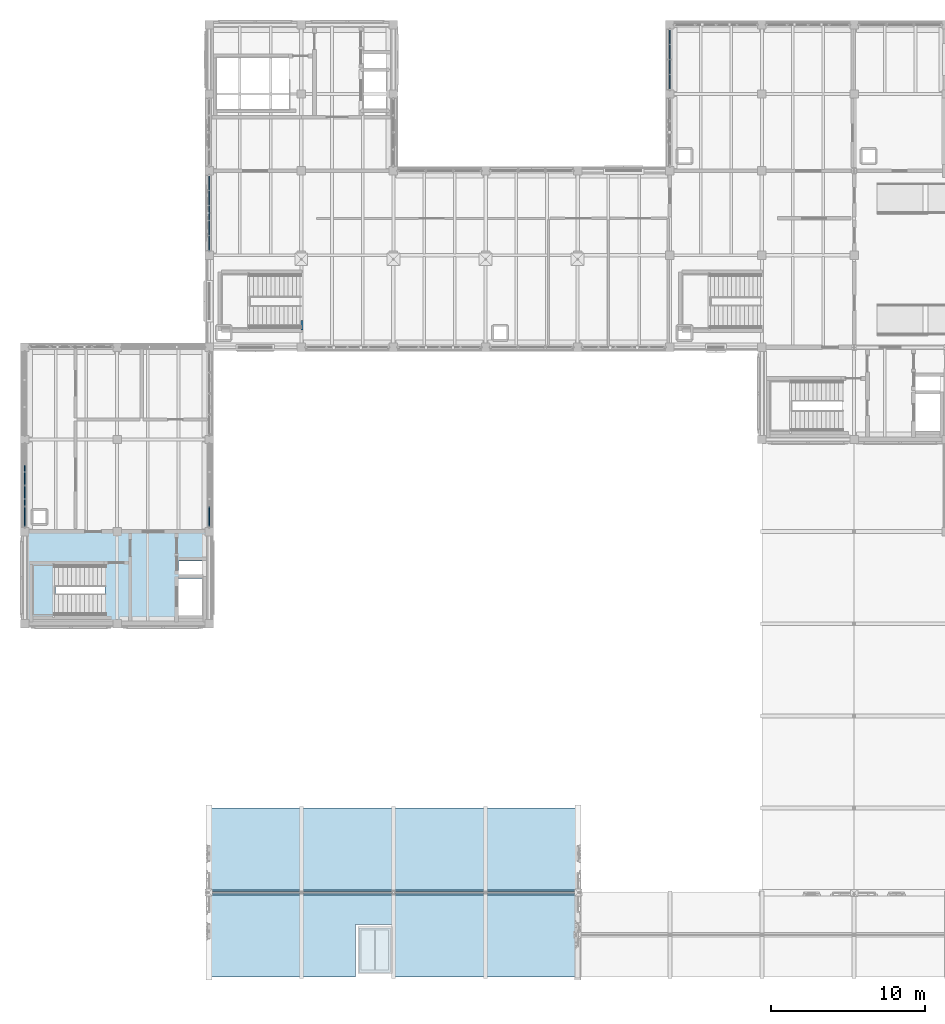
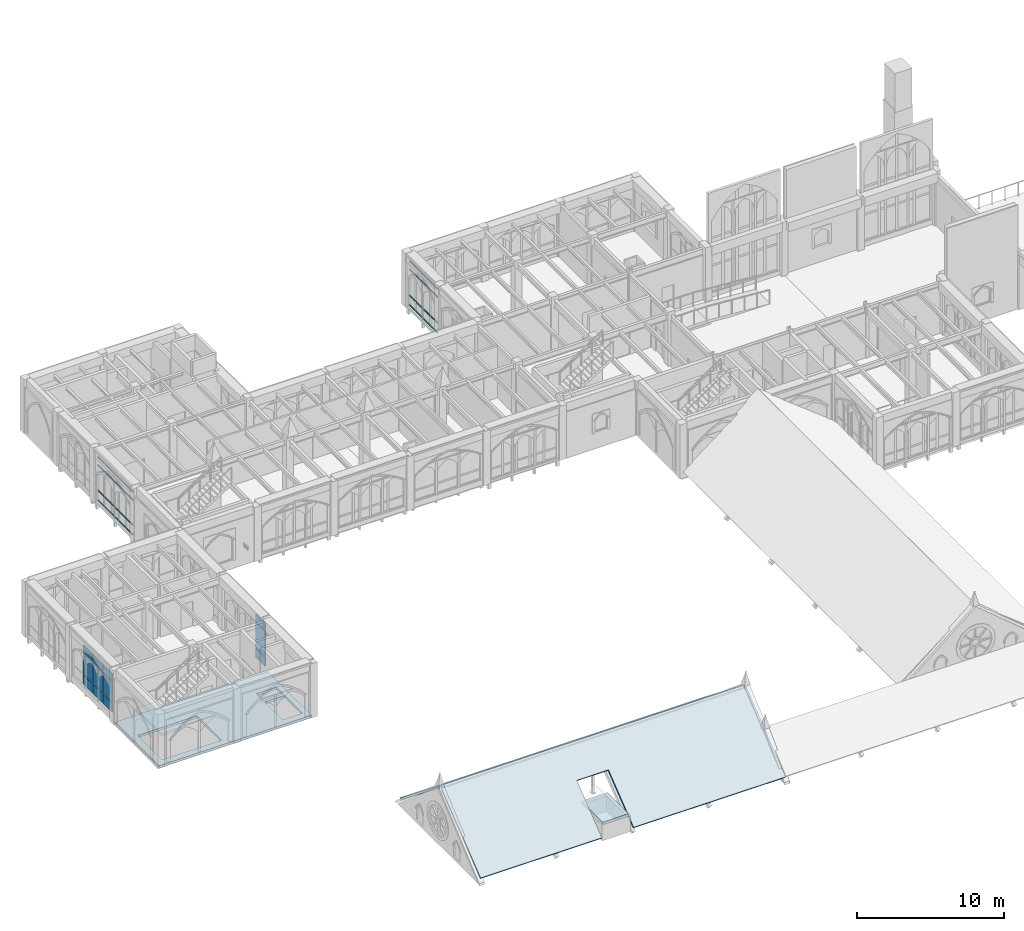
# One storey, part 61 of 108: 36 members, 12 plates, 5 slabs, 1 beam, 5 elements without a shape of their own.
"""IFC4 building model written with IfcOpenShell, lengths in metres."""

from ifc_helpers import new_model, si_unit, direction, frame, origin, origin_2d, place, context, subcontext, project, spatial, polyline, rectangle, hollow_rectangle, i_section, outline, extrude, material, layer, layer_set, material_profile, profile_set, type_object, element, aggregate, save


model = new_model("IFC4")

# Units and contexts
model_context = context("Model", 3, precision=1e-05, world=origin(), true_north=direction((0.0, 1.0)))
body_context = subcontext(model_context, "Body", "Model", "MODEL_VIEW")
ifc_project = project(units=[si_unit("LENGTHUNIT", "METRE"), si_unit("AREAUNIT", "SQUARE_METRE"), si_unit("VOLUMEUNIT", "CUBIC_METRE"), si_unit("PLANEANGLEUNIT", "RADIAN"), si_unit("MASSUNIT", "GRAM", prefix="KILO")], contexts=[model_context])

# Site, building, storey
site_placement = place(None, origin())
site = spatial("IfcSite", under=ifc_project, at=site_placement, CompositionType="ELEMENT")
building_placement = place(site_placement, origin())
building = spatial("IfcBuilding", under=site, at=building_placement, Name="Cumevento Cable Car Station", CompositionType="ELEMENT")
storey_placement = place(building_placement, frame((0.0, 0.0, 13.5)))
storey = spatial("IfcBuildingStorey", under=building, at=storey_placement, Name="L04", CompositionType="ELEMENT", Elevation=13.5)

# Curtain wall, members
ifc_material_1 = material(Name="Anodised Bronze Aluminium AW-6063-T6", Category="aluminium")
ifc_layer_1 = layer(ifc_material_1, 0.166015625)
ifc_layer_set_1 = layer_set([ifc_layer_1], Name="Anodised Bronze Aluminium AW-6063-T6")
curtain_wall_type_1 = type_object("IfcCurtainWallType", Name="Lancet Curtain Wall CW-02 1090", PredefinedType="NOTDEFINED", material=ifc_layer_set_1)
curtain_wall_1_placement = place(storey_placement, origin())
curtain_wall_1 = element("IfcCurtainWall", 1, at=curtain_wall_1_placement, inside=storey, type_object=curtain_wall_type_1, Name="Lancet Curtain Wall CW-02 L04 #161", PredefinedType="NOTDEFINED")
ifc_material_2 = material(Name="Anodised Bronze Aluminium AW-6063-T6", Category="aluminium")
ifc_material_profile_1 = material_profile(ifc_material_2, hollow_rectangle(XDim=0.06494140625, YDim=0.1201171875, WallThickness=0.00390625, at=origin_2d()), Name="ALUT65x120x4")
ifc_profile_set_1 = profile_set([ifc_material_profile_1], Name="Anodised Bronze Aluminium AW-6063-T6")
member_type = type_object("IfcMemberType", Name="Curtain Transom CWT-01 ALUT65x120x4", PredefinedType="USERDEFINED", material=ifc_profile_set_1)
member_1_placement = place(storey_placement, frame((22.0, 51.340087890625, 0.242431640625), z_axis=(0.0, 1.0, 0.0), x_axis=(-1.0, 0.0, 0.0)))
member_1 = element("IfcMember", 2, at=member_1_placement, type_object=member_type, Name="CW-02 transom 1.1", ObjectType="TRANSOM", PredefinedType="USERDEFINED", context=body_context, shape_type="SweptSolid", body=[
    extrude(hollow_rectangle(XDim=0.06494140625, YDim=0.1201171875, WallThickness=0.00390625, at=origin_2d()), origin(), (0.0, 0.0, 1.0), 0.892333984375),
])
member_2_placement = place(storey_placement, frame((22.0, 51.340087890625, 1.06005859375), z_axis=(0.0, 1.0, 0.0), x_axis=(-1.0, 0.0, 0.0)))
member_2 = element("IfcMember", 3, at=member_2_placement, type_object=member_type, Name="CW-02 transom 1.2", ObjectType="TRANSOM", PredefinedType="USERDEFINED", context=body_context, shape_type="SweptSolid", body=[
    extrude(hollow_rectangle(XDim=0.06494140625, YDim=0.1201171875, WallThickness=0.00390625, at=origin_2d()), origin(), (0.0, 0.0, 1.0), 0.892333984375),
])
member_3_placement = place(storey_placement, frame((22.0, 51.340087890625, 3.14306640625), z_axis=(0.0, 1.0, 0.0), x_axis=(-1.0, 0.0, 0.0)))
member_3 = element("IfcMember", 4, at=member_3_placement, type_object=member_type, Name="CW-02 transom 1.3", ObjectType="TRANSOM", PredefinedType="USERDEFINED", context=body_context, shape_type="SweptSolid", body=[
    extrude(hollow_rectangle(XDim=0.06494140625, YDim=0.1201171875, WallThickness=0.00390625, at=origin_2d()), origin(), (0.0, 0.0, 1.0), 0.892333984375),
])
member_4_placement = place(storey_placement, frame((22.0, 51.340087890625, 3.810546875), z_axis=(0.0, 1.0, 0.0), x_axis=(-1.0, 0.0, 0.0)))
member_4 = element("IfcMember", 5, at=member_4_placement, type_object=member_type, Name="CW-02 transom 1.4", ObjectType="TRANSOM", PredefinedType="USERDEFINED", context=body_context, shape_type="SweptSolid", body=[
    extrude(hollow_rectangle(XDim=0.06494140625, YDim=0.1201171875, WallThickness=0.00390625, at=origin_2d()), origin(), (0.0, 0.0, 1.0), 0.892333984375),
])
member_5_placement = place(storey_placement, frame((22.0, 52.297607421875, 0.242431640625), z_axis=(0.0, 1.0, 0.0), x_axis=(-1.0, 0.0, 0.0)))
member_5 = element("IfcMember", 6, at=member_5_placement, type_object=member_type, Name="CW-02 transom 2.1", ObjectType="TRANSOM", PredefinedType="USERDEFINED", context=body_context, shape_type="SweptSolid", body=[
    extrude(hollow_rectangle(XDim=0.06494140625, YDim=0.1201171875, WallThickness=0.00390625, at=origin_2d()), origin(), (0.0, 0.0, 1.0), 0.9248046875),
])
member_6_placement = place(storey_placement, frame((22.0, 52.297607421875, 1.06005859375), z_axis=(0.0, 1.0, 0.0), x_axis=(-1.0, 0.0, 0.0)))
member_6 = element("IfcMember", 7, at=member_6_placement, type_object=member_type, Name="CW-02 transom 2.2", ObjectType="TRANSOM", PredefinedType="USERDEFINED", context=body_context, shape_type="SweptSolid", body=[
    extrude(hollow_rectangle(XDim=0.06494140625, YDim=0.1201171875, WallThickness=0.00390625, at=origin_2d()), origin(), (0.0, 0.0, 1.0), 0.9248046875),
])
member_7_placement = place(storey_placement, frame((22.0, 52.297607421875, 3.14306640625), z_axis=(0.0, 1.0, 0.0), x_axis=(-1.0, 0.0, 0.0)))
member_7 = element("IfcMember", 8, at=member_7_placement, type_object=member_type, Name="CW-02 transom 2.3", ObjectType="TRANSOM", PredefinedType="USERDEFINED", context=body_context, shape_type="SweptSolid", body=[
    extrude(hollow_rectangle(XDim=0.06494140625, YDim=0.1201171875, WallThickness=0.00390625, at=origin_2d()), origin(), (0.0, 0.0, 1.0), 0.9248046875),
])
member_8_placement = place(storey_placement, frame((22.0, 52.297607421875, 3.810546875), z_axis=(0.0, 1.0, 0.0), x_axis=(-1.0, 0.0, 0.0)))
member_8 = element("IfcMember", 9, at=member_8_placement, type_object=member_type, Name="CW-02 transom 2.4", ObjectType="TRANSOM", PredefinedType="USERDEFINED", context=body_context, shape_type="SweptSolid", body=[
    extrude(hollow_rectangle(XDim=0.06494140625, YDim=0.1201171875, WallThickness=0.00390625, at=origin_2d()), origin(), (0.0, 0.0, 1.0), 0.9248046875),
])
member_9_placement = place(storey_placement, frame((22.0, 53.28759765625, 0.242431640625), z_axis=(0.0, 1.0, 0.0), x_axis=(-1.0, 0.0, 0.0)))
member_9 = element("IfcMember", 10, at=member_9_placement, type_object=member_type, Name="CW-02 transom 3.1", ObjectType="TRANSOM", PredefinedType="USERDEFINED", context=body_context, shape_type="SweptSolid", body=[
    extrude(hollow_rectangle(XDim=0.06494140625, YDim=0.1201171875, WallThickness=0.00390625, at=origin_2d()), origin(), (0.0, 0.0, 1.0), 0.9248046875),
])
member_10_placement = place(storey_placement, frame((22.0, 53.28759765625, 1.06005859375), z_axis=(0.0, 1.0, 0.0), x_axis=(-1.0, 0.0, 0.0)))
member_10 = element("IfcMember", 11, at=member_10_placement, type_object=member_type, Name="CW-02 transom 3.2", ObjectType="TRANSOM", PredefinedType="USERDEFINED", context=body_context, shape_type="SweptSolid", body=[
    extrude(hollow_rectangle(XDim=0.06494140625, YDim=0.1201171875, WallThickness=0.00390625, at=origin_2d()), origin(), (0.0, 0.0, 1.0), 0.9248046875),
])
member_11_placement = place(storey_placement, frame((22.0, 53.28759765625, 3.14306640625), z_axis=(0.0, 1.0, 0.0), x_axis=(-1.0, 0.0, 0.0)))
member_11 = element("IfcMember", 12, at=member_11_placement, type_object=member_type, Name="CW-02 transom 3.3", ObjectType="TRANSOM", PredefinedType="USERDEFINED", context=body_context, shape_type="SweptSolid", body=[
    extrude(hollow_rectangle(XDim=0.06494140625, YDim=0.1201171875, WallThickness=0.00390625, at=origin_2d()), origin(), (0.0, 0.0, 1.0), 0.9248046875),
])
member_12_placement = place(storey_placement, frame((22.0, 53.28759765625, 3.810546875), z_axis=(0.0, 1.0, 0.0), x_axis=(-1.0, 0.0, 0.0)))
member_12 = element("IfcMember", 13, at=member_12_placement, type_object=member_type, Name="CW-02 transom 3.4", ObjectType="TRANSOM", PredefinedType="USERDEFINED", context=body_context, shape_type="SweptSolid", body=[
    extrude(hollow_rectangle(XDim=0.06494140625, YDim=0.1201171875, WallThickness=0.00390625, at=origin_2d()), origin(), (0.0, 0.0, 1.0), 0.9248046875),
])
member_13_placement = place(storey_placement, frame((22.0, 54.277587890625, 0.242431640625), z_axis=(0.0, 1.0, 0.0), x_axis=(-1.0, 0.0, 0.0)))
member_13 = element("IfcMember", 14, at=member_13_placement, type_object=member_type, Name="CW-02 transom 4.1", ObjectType="TRANSOM", PredefinedType="USERDEFINED", context=body_context, shape_type="SweptSolid", body=[
    extrude(hollow_rectangle(XDim=0.06494140625, YDim=0.1201171875, WallThickness=0.00390625, at=origin_2d()), origin(), (0.0, 0.0, 1.0), 0.9248046875),
])
member_14_placement = place(storey_placement, frame((22.0, 54.277587890625, 1.06005859375), z_axis=(0.0, 1.0, 0.0), x_axis=(-1.0, 0.0, 0.0)))
member_14 = element("IfcMember", 15, at=member_14_placement, type_object=member_type, Name="CW-02 transom 4.2", ObjectType="TRANSOM", PredefinedType="USERDEFINED", context=body_context, shape_type="SweptSolid", body=[
    extrude(hollow_rectangle(XDim=0.06494140625, YDim=0.1201171875, WallThickness=0.00390625, at=origin_2d()), origin(), (0.0, 0.0, 1.0), 0.9248046875),
])
member_15_placement = place(storey_placement, frame((22.0, 54.277587890625, 3.14306640625), z_axis=(0.0, 1.0, 0.0), x_axis=(-1.0, 0.0, 0.0)))
member_15 = element("IfcMember", 16, at=member_15_placement, type_object=member_type, Name="CW-02 transom 4.3", ObjectType="TRANSOM", PredefinedType="USERDEFINED", context=body_context, shape_type="SweptSolid", body=[
    extrude(hollow_rectangle(XDim=0.06494140625, YDim=0.1201171875, WallThickness=0.00390625, at=origin_2d()), origin(), (0.0, 0.0, 1.0), 0.9248046875),
])
member_16_placement = place(storey_placement, frame((22.0, 54.277587890625, 3.810546875), z_axis=(0.0, 1.0, 0.0), x_axis=(-1.0, 0.0, 0.0)))
member_16 = element("IfcMember", 17, at=member_16_placement, type_object=member_type, Name="CW-02 transom 4.4", ObjectType="TRANSOM", PredefinedType="USERDEFINED", context=body_context, shape_type="SweptSolid", body=[
    extrude(hollow_rectangle(XDim=0.06494140625, YDim=0.1201171875, WallThickness=0.00390625, at=origin_2d()), origin(), (0.0, 0.0, 1.0), 0.9248046875),
])
member_17_placement = place(storey_placement, frame((22.0, 55.267578125, 0.242431640625), z_axis=(0.0, 1.0, 0.0), x_axis=(-1.0, 0.0, 0.0)))
member_17 = element("IfcMember", 18, at=member_17_placement, type_object=member_type, Name="CW-02 transom 5.1", ObjectType="TRANSOM", PredefinedType="USERDEFINED", context=body_context, shape_type="SweptSolid", body=[
    extrude(hollow_rectangle(XDim=0.06494140625, YDim=0.1201171875, WallThickness=0.00390625, at=origin_2d()), origin(), (0.0, 0.0, 1.0), 0.892333984375),
])
member_18_placement = place(storey_placement, frame((22.0, 55.267578125, 1.06005859375), z_axis=(0.0, 1.0, 0.0), x_axis=(-1.0, 0.0, 0.0)))
member_18 = element("IfcMember", 19, at=member_18_placement, type_object=member_type, Name="CW-02 transom 5.2", ObjectType="TRANSOM", PredefinedType="USERDEFINED", context=body_context, shape_type="SweptSolid", body=[
    extrude(hollow_rectangle(XDim=0.06494140625, YDim=0.1201171875, WallThickness=0.00390625, at=origin_2d()), origin(), (0.0, 0.0, 1.0), 0.892333984375),
])
member_19_placement = place(storey_placement, frame((22.0, 55.267578125, 3.14306640625), z_axis=(0.0, 1.0, 0.0), x_axis=(-1.0, 0.0, 0.0)))
member_19 = element("IfcMember", 20, at=member_19_placement, type_object=member_type, Name="CW-02 transom 5.3", ObjectType="TRANSOM", PredefinedType="USERDEFINED", context=body_context, shape_type="SweptSolid", body=[
    extrude(hollow_rectangle(XDim=0.06494140625, YDim=0.1201171875, WallThickness=0.00390625, at=origin_2d()), origin(), (0.0, 0.0, 1.0), 0.892333984375),
])
member_20_placement = place(storey_placement, frame((22.0, 55.267578125, 3.810546875), z_axis=(0.0, 1.0, 0.0), x_axis=(-1.0, 0.0, 0.0)))
member_20 = element("IfcMember", 21, at=member_20_placement, type_object=member_type, Name="CW-02 transom 5.4", ObjectType="TRANSOM", PredefinedType="USERDEFINED", context=body_context, shape_type="SweptSolid", body=[
    extrude(hollow_rectangle(XDim=0.06494140625, YDim=0.1201171875, WallThickness=0.00390625, at=origin_2d()), origin(), (0.0, 0.0, 1.0), 0.892333984375),
])
aggregate(curtain_wall_1, [member_1, member_2, member_3, member_4, member_5, member_6, member_7, member_8, member_9, member_10, member_11, member_12, member_13, member_14, member_15, member_16, member_17, member_18, member_19, member_20])

ifc_material_3 = material(Name="Anodised Bronze Aluminium AW-6063-T6", Category="aluminium")
ifc_layer_2 = layer(ifc_material_3, 0.159912109375)
ifc_layer_set_2 = layer_set([ifc_layer_2], Name="Anodised Bronze Aluminium AW-6063-T6")
curtain_wall_type_2 = type_object("IfcCurtainWallType", Name="Lancet Curtain Wall CW-01 1050", PredefinedType="NOTDEFINED", material=ifc_layer_set_2)
curtain_wall_2_placement = place(storey_placement, origin())
curtain_wall_2 = element("IfcCurtainWall", 22, at=curtain_wall_2_placement, inside=storey, type_object=curtain_wall_type_2, Name="Lancet Curtain Wall CW-01 L04 #176", PredefinedType="NOTDEFINED")
member_21_placement = place(storey_placement, frame((52.0, 61.840087890625, 0.1923828125), z_axis=(0.0, 1.0, 0.0), x_axis=(-1.0, 0.0, 0.0)))
member_21 = element("IfcMember", 23, at=member_21_placement, type_object=member_type, Name="CW-01 transom 1.1", ObjectType="TRANSOM", PredefinedType="USERDEFINED", context=body_context, shape_type="SweptSolid", body=[
    extrude(hollow_rectangle(XDim=0.06494140625, YDim=0.1201171875, WallThickness=0.00390625, at=origin_2d()), origin(), (0.0, 0.0, 1.0), 0.889892578125),
])
member_22_placement = place(storey_placement, frame((52.0, 61.840087890625, 1.010009765625), z_axis=(0.0, 1.0, 0.0), x_axis=(-1.0, 0.0, 0.0)))
member_22 = element("IfcMember", 24, at=member_22_placement, type_object=member_type, Name="CW-01 transom 1.2", ObjectType="TRANSOM", PredefinedType="USERDEFINED", context=body_context, shape_type="SweptSolid", body=[
    extrude(hollow_rectangle(XDim=0.06494140625, YDim=0.1201171875, WallThickness=0.00390625, at=origin_2d()), origin(), (0.0, 0.0, 1.0), 0.889892578125),
])
member_23_placement = place(storey_placement, frame((52.0, 61.840087890625, 3.14306640625), z_axis=(0.0, 1.0, 0.0), x_axis=(-1.0, 0.0, 0.0)))
member_23 = element("IfcMember", 25, at=member_23_placement, type_object=member_type, Name="CW-01 transom 1.3", ObjectType="TRANSOM", PredefinedType="USERDEFINED", context=body_context, shape_type="SweptSolid", body=[
    extrude(hollow_rectangle(XDim=0.06494140625, YDim=0.1201171875, WallThickness=0.00390625, at=origin_2d()), origin(), (0.0, 0.0, 1.0), 0.889892578125),
])
member_24_placement = place(storey_placement, frame((52.0, 61.840087890625, 3.810546875), z_axis=(0.0, 1.0, 0.0), x_axis=(-1.0, 0.0, 0.0)))
member_24 = element("IfcMember", 26, at=member_24_placement, type_object=member_type, Name="CW-01 transom 1.4", ObjectType="TRANSOM", PredefinedType="USERDEFINED", context=body_context, shape_type="SweptSolid", body=[
    extrude(hollow_rectangle(XDim=0.06494140625, YDim=0.1201171875, WallThickness=0.00390625, at=origin_2d()), origin(), (0.0, 0.0, 1.0), 0.889892578125),
])
member_25_placement = place(storey_placement, frame((52.0, 62.794921875, 0.1923828125), z_axis=(0.0, 1.0, 0.0), x_axis=(-1.0, 0.0, 0.0)))
member_25 = element("IfcMember", 27, at=member_25_placement, type_object=member_type, Name="CW-01 transom 2.1", ObjectType="TRANSOM", PredefinedType="USERDEFINED", context=body_context, shape_type="SweptSolid", body=[
    extrude(hollow_rectangle(XDim=0.06494140625, YDim=0.1201171875, WallThickness=0.00390625, at=origin_2d()), origin(), (0.0, 0.0, 1.0), 0.922607421875),
])
member_26_placement = place(storey_placement, frame((52.0, 62.794921875, 1.010009765625), z_axis=(0.0, 1.0, 0.0), x_axis=(-1.0, 0.0, 0.0)))
member_26 = element("IfcMember", 28, at=member_26_placement, type_object=member_type, Name="CW-01 transom 2.2", ObjectType="TRANSOM", PredefinedType="USERDEFINED", context=body_context, shape_type="SweptSolid", body=[
    extrude(hollow_rectangle(XDim=0.06494140625, YDim=0.1201171875, WallThickness=0.00390625, at=origin_2d()), origin(), (0.0, 0.0, 1.0), 0.922607421875),
])
member_27_placement = place(storey_placement, frame((52.0, 62.794921875, 3.14306640625), z_axis=(0.0, 1.0, 0.0), x_axis=(-1.0, 0.0, 0.0)))
member_27 = element("IfcMember", 29, at=member_27_placement, type_object=member_type, Name="CW-01 transom 2.3", ObjectType="TRANSOM", PredefinedType="USERDEFINED", context=body_context, shape_type="SweptSolid", body=[
    extrude(hollow_rectangle(XDim=0.06494140625, YDim=0.1201171875, WallThickness=0.00390625, at=origin_2d()), origin(), (0.0, 0.0, 1.0), 0.922607421875),
])
member_28_placement = place(storey_placement, frame((52.0, 62.794921875, 3.810546875), z_axis=(0.0, 1.0, 0.0), x_axis=(-1.0, 0.0, 0.0)))
member_28 = element("IfcMember", 30, at=member_28_placement, type_object=member_type, Name="CW-01 transom 2.4", ObjectType="TRANSOM", PredefinedType="USERDEFINED", context=body_context, shape_type="SweptSolid", body=[
    extrude(hollow_rectangle(XDim=0.06494140625, YDim=0.1201171875, WallThickness=0.00390625, at=origin_2d()), origin(), (0.0, 0.0, 1.0), 0.922607421875),
])
member_29_placement = place(storey_placement, frame((52.0, 63.782470703125, 0.1923828125), z_axis=(0.0, 1.0, 0.0), x_axis=(-1.0, 0.0, 0.0)))
member_29 = element("IfcMember", 31, at=member_29_placement, type_object=member_type, Name="CW-01 transom 3.1", ObjectType="TRANSOM", PredefinedType="USERDEFINED", context=body_context, shape_type="SweptSolid", body=[
    extrude(hollow_rectangle(XDim=0.06494140625, YDim=0.1201171875, WallThickness=0.00390625, at=origin_2d()), origin(), (0.0, 0.0, 1.0), 0.922607421875),
])
member_30_placement = place(storey_placement, frame((52.0, 63.782470703125, 1.010009765625), z_axis=(0.0, 1.0, 0.0), x_axis=(-1.0, 0.0, 0.0)))
member_30 = element("IfcMember", 32, at=member_30_placement, type_object=member_type, Name="CW-01 transom 3.2", ObjectType="TRANSOM", PredefinedType="USERDEFINED", context=body_context, shape_type="SweptSolid", body=[
    extrude(hollow_rectangle(XDim=0.06494140625, YDim=0.1201171875, WallThickness=0.00390625, at=origin_2d()), origin(), (0.0, 0.0, 1.0), 0.922607421875),
])
member_31_placement = place(storey_placement, frame((52.0, 63.782470703125, 3.14306640625), z_axis=(0.0, 1.0, 0.0), x_axis=(-1.0, 0.0, 0.0)))
member_31 = element("IfcMember", 33, at=member_31_placement, type_object=member_type, Name="CW-01 transom 3.3", ObjectType="TRANSOM", PredefinedType="USERDEFINED", context=body_context, shape_type="SweptSolid", body=[
    extrude(hollow_rectangle(XDim=0.06494140625, YDim=0.1201171875, WallThickness=0.00390625, at=origin_2d()), origin(), (0.0, 0.0, 1.0), 0.922607421875),
])
member_32_placement = place(storey_placement, frame((52.0, 63.782470703125, 3.810546875), z_axis=(0.0, 1.0, 0.0), x_axis=(-1.0, 0.0, 0.0)))
member_32 = element("IfcMember", 34, at=member_32_placement, type_object=member_type, Name="CW-01 transom 3.4", ObjectType="TRANSOM", PredefinedType="USERDEFINED", context=body_context, shape_type="SweptSolid", body=[
    extrude(hollow_rectangle(XDim=0.06494140625, YDim=0.1201171875, WallThickness=0.00390625, at=origin_2d()), origin(), (0.0, 0.0, 1.0), 0.922607421875),
])
member_33_placement = place(storey_placement, frame((52.0, 64.77001953125, 0.1923828125), z_axis=(0.0, 1.0, 0.0), x_axis=(-1.0, 0.0, 0.0)))
member_33 = element("IfcMember", 35, at=member_33_placement, type_object=member_type, Name="CW-01 transom 4.1", ObjectType="TRANSOM", PredefinedType="USERDEFINED", context=body_context, shape_type="SweptSolid", body=[
    extrude(hollow_rectangle(XDim=0.06494140625, YDim=0.1201171875, WallThickness=0.00390625, at=origin_2d()), origin(), (0.0, 0.0, 1.0), 0.889892578125),
])
member_34_placement = place(storey_placement, frame((52.0, 64.77001953125, 1.010009765625), z_axis=(0.0, 1.0, 0.0), x_axis=(-1.0, 0.0, 0.0)))
member_34 = element("IfcMember", 36, at=member_34_placement, type_object=member_type, Name="CW-01 transom 4.2", ObjectType="TRANSOM", PredefinedType="USERDEFINED", context=body_context, shape_type="SweptSolid", body=[
    extrude(hollow_rectangle(XDim=0.06494140625, YDim=0.1201171875, WallThickness=0.00390625, at=origin_2d()), origin(), (0.0, 0.0, 1.0), 0.889892578125),
])
member_35_placement = place(storey_placement, frame((52.0, 64.77001953125, 3.14306640625), z_axis=(0.0, 1.0, 0.0), x_axis=(-1.0, 0.0, 0.0)))
member_35 = element("IfcMember", 37, at=member_35_placement, type_object=member_type, Name="CW-01 transom 4.3", ObjectType="TRANSOM", PredefinedType="USERDEFINED", context=body_context, shape_type="SweptSolid", body=[
    extrude(hollow_rectangle(XDim=0.06494140625, YDim=0.1201171875, WallThickness=0.00390625, at=origin_2d()), origin(), (0.0, 0.0, 1.0), 0.889892578125),
])
member_36_placement = place(storey_placement, frame((52.0, 64.77001953125, 3.810546875), z_axis=(0.0, 1.0, 0.0), x_axis=(-1.0, 0.0, 0.0)))
member_36 = element("IfcMember", 38, at=member_36_placement, type_object=member_type, Name="CW-01 transom 4.4", ObjectType="TRANSOM", PredefinedType="USERDEFINED", context=body_context, shape_type="SweptSolid", body=[
    extrude(hollow_rectangle(XDim=0.06494140625, YDim=0.1201171875, WallThickness=0.00390625, at=origin_2d()), origin(), (0.0, 0.0, 1.0), 0.889892578125),
])
aggregate(curtain_wall_2, [member_21, member_22, member_23, member_24, member_25, member_26, member_27, member_28, member_29, member_30, member_31, member_32, member_33, member_34, member_35, member_36])

# Beam
ifc_material_4 = material(Name="Steel ASTM A572 Grade 50", Category="steel")
ifc_material_profile_2 = material_profile(ifc_material_4, i_section(OverallWidth=0.14794921875, OverallDepth=0.26611328125, WebThickness=0.007568359375, FlangeThickness=0.012939453125, at=origin_2d()), Name="W250x44.8")
ifc_profile_set_2 = profile_set([ifc_material_profile_2], Name="Steel ASTM A572 Grade 50")
beam_type = type_object("IfcBeamType", Name="Structural Beam BM-07 W250x44.8", PredefinedType="BEAM", material=ifc_profile_set_2)
beam_placement = place(storey_placement, frame((28.0400390625, 46.1201171875, 0.137939453125), z_axis=(0.0, 1.0, 0.0), x_axis=(-1.0, 0.0, 0.0)))
element("IfcBeam", 39, at=beam_placement, inside=storey, type_object=beam_type, Name="Stair Stringer Seat Corbel ST-12", PredefinedType="BEAM", context=body_context, shape_type="SweptSolid", body=[
    extrude(i_section(OverallWidth=0.14794921875, OverallDepth=0.26611328125, WebThickness=0.007568359375, FlangeThickness=0.012939453125, at=origin_2d()), origin(), (0.0, 0.0, 1.0), 0.6298828125),
])

# Slabs
ifc_material_5 = material(Name="Concrete C40/50", Category="concrete")
ifc_layer_3 = layer(ifc_material_5, 0.199951171875)
ifc_layer_set_3 = layer_set([ifc_layer_3], Name="Concrete C40/50")
slab_type_1 = type_object("IfcSlabType", Name="Concrete Deck FS-200 200", PredefinedType="FLOOR", material=ifc_layer_set_3)
slab_1_placement = place(storey_placement, frame((0.0, 0.0, -0.199951171875)))
element("IfcSlab", 40, at=slab_1_placement, inside=storey, type_object=slab_type_1, Name="Floor Slab FS-200 L04 B_V6b_core.1", PredefinedType="FLOOR", context=body_context, shape_type="SweptSolid", body=[
    extrude(outline(polyline([(10.0, 27.0), (22.0, 27.0), (22.0, 33.0), (10.0, 33.0), (10.0, 27.0)]), holes=[polyline([(20.010009765625, 27.5400390625), (21.580078125, 27.5400390625), (21.580078125, 29.9599609375), (20.010009765625, 29.9599609375), (20.010009765625, 27.5400390625)]), polyline([(10.52001953125, 27.52001953125), (15.199951171875, 27.52001953125), (15.199951171875, 30.85009765625), (10.52001953125, 30.85009765625), (10.52001953125, 27.52001953125)]), polyline([(20.010009765625, 30.199951171875), (21.580078125, 30.199951171875), (21.580078125, 31.10009765625), (20.010009765625, 31.10009765625), (20.010009765625, 30.199951171875)])]), origin(), (0.0, 0.0, 1.0), 0.199951171875),
])
ifc_material_6 = material(Name="Concrete C40/50", Category="concrete")
ifc_layer_4 = layer(ifc_material_6, 0.159912109375)
ifc_layer_set_4 = layer_set([ifc_layer_4], Name="Concrete C40/50")
slab_type_2 = type_object("IfcSlabType", Name="Concrete Deck RS-160 160", PredefinedType="ROOF", material=ifc_layer_set_4)
slab_2_placement = place(storey_placement, frame((22.0, 9.344970703125, 4.63037109375), z_axis=(0.0, -0.620350096086, 0.784325033571), x_axis=(1.0, 0.0, 0.0)))
element("IfcSlab", 41, at=slab_2_placement, inside=storey, type_object=slab_type_2, Name="Wing B_V1a Gable Roof South", PredefinedType="ROOF", context=body_context, shape_type="SweptSolid", body=[
    extrude(outline(polyline([(0.0, 0.0), (24.0, 0.0), (24.0, -6.814748589793517), (12.0400390625, -6.814748589793517), (12.0400390625, -2.4543227756101884), (9.5400390625, -2.4543227756101884), (9.5400390625, -6.814748589793517), (0.0, -6.814748589793517), (0.0, 0.0)])), origin(), (0.0, 0.0, -1.0), 0.159912109375),
])
slab_3_placement = place(storey_placement, frame((22.0, 9.655029296875, 4.63037109375), z_axis=(0.0, 0.620351434362, 0.78432397508), x_axis=(1.0, 0.0, 0.0)))
element("IfcSlab", 42, at=slab_3_placement, inside=storey, type_object=slab_type_2, Name="Wing B_V1a Gable Roof North", PredefinedType="ROOF", context=body_context, shape_type="SweptSolid", body=[
    extrude(outline(polyline([(0.0, 0.0), (24.0, 0.0), (24.0, 6.814748589803437), (0.0, 6.814748589803437), (0.0, 0.0)])), origin(), (0.0, 0.0, -1.0), 0.159912109375),
])
ifc_material_7 = material(Name="Concrete C40/50", Category="concrete")
ifc_layer_5 = layer(ifc_material_7, 0.199951171875)
ifc_layer_set_5 = layer_set([ifc_layer_5], Name="Concrete C40/50")
slab_type_3 = type_object("IfcSlabType", Name="Concrete Deck RS-200 200", PredefinedType="ROOF", material=ifc_layer_set_5)
slab_4_placement = place(storey_placement, frame((0.0, 0.0, 1.25)))
element("IfcSlab", 43, at=slab_4_placement, inside=storey, type_object=slab_type_3, Name="Lift Overrun Roof Slab LF-02", PredefinedType="ROOF", context=body_context, shape_type="SweptSolid", body=[
    extrude(outline(polyline([(31.760009765625, 4.300048828125), (33.820068359375, 4.300048828125), (33.820068359375, 7.199951171875), (31.760009765625, 7.199951171875), (31.760009765625, 4.300048828125)])), origin(), (0.0, 0.0, 1.0), 0.199951171875),
])

# Curtain wall, plates
ifc_material_8 = material(Name="Anodised Bronze Aluminium AW-6063-T6", Category="aluminium")
ifc_layer_6 = layer(ifc_material_8, 0.201904296875)
ifc_layer_set_6 = layer_set([ifc_layer_6], Name="Anodised Bronze Aluminium AW-6063-T6")
curtain_wall_type_3 = type_object("IfcCurtainWallType", Name="Lancet Curtain Wall CW-08 1330", PredefinedType="NOTDEFINED", material=ifc_layer_set_6)
curtain_wall_3_placement = place(storey_placement, origin())
curtain_wall_3 = element("IfcCurtainWall", 44, at=curtain_wall_3_placement, inside=storey, type_object=curtain_wall_type_3, Name="Lancet Curtain Wall CW-08 L04 #151", PredefinedType="NOTDEFINED")
ifc_material_9 = material(Name="Insulated Bronze Aluminium Spandrel Panel", Category="aluminium")
ifc_layer_7 = layer(ifc_material_9, 0.072021484375)
ifc_layer_set_7 = layer_set([ifc_layer_7], Name="Insulated Bronze Aluminium Spandrel Panel")
plate_type_1 = type_object("IfcPlateType", Name="Spandrel Panel CWP-12 72", PredefinedType="CURTAIN_PANEL", material=ifc_layer_set_7)
plate_1_placement = place(storey_placement, frame((10.0, 33.972412109375, 0.5849609375), z_axis=(0.0, 0.0, 1.0), x_axis=(0.0, 1.0, 0.0)))
plate_1 = element("IfcPlate", 45, at=plate_1_placement, type_object=plate_type_1, Name="CW-08 panel 1.1", PredefinedType="CURTAIN_PANEL", context=body_context, shape_type="SweptSolid", body=[
    extrude(rectangle(XDim=1.264892578125, YDim=0.072021484375, at=origin_2d()), origin(), (0.0, 0.0, 1.0), 0.75244140625),
])
plate_2_placement = place(storey_placement, frame((10.0, 33.972412109375, 1.40234375), z_axis=(0.0, 0.0, 1.0), x_axis=(0.0, 1.0, 0.0)))
plate_2 = element("IfcPlate", 46, at=plate_2_placement, type_object=plate_type_1, Name="CW-08 panel 1.2", PredefinedType="CURTAIN_PANEL", context=body_context, shape_type="SweptSolid", body=[
    extrude(rectangle(XDim=1.264892578125, YDim=0.072021484375, at=origin_2d()), origin(), (0.0, 0.0, 1.0), 1.74609375),
])
plate_3_placement = place(storey_placement, frame((10.0, 33.972412109375, 3.21337890625), z_axis=(0.0, 0.0, 1.0), x_axis=(0.0, 1.0, 0.0)))
plate_3 = element("IfcPlate", 47, at=plate_3_placement, type_object=plate_type_1, Name="CW-08 panel 1.3", PredefinedType="CURTAIN_PANEL", context=body_context, shape_type="SweptSolid", body=[
    extrude(rectangle(XDim=1.264892578125, YDim=0.072021484375, at=origin_2d()), origin(), (0.0, 0.0, 1.0), 0.6025390625),
])
plate_4_placement = place(storey_placement, frame((10.0, 35.31884765625, 0.5849609375), z_axis=(0.0, 0.0, 1.0), x_axis=(0.0, 1.0, 0.0)))
plate_4 = element("IfcPlate", 48, at=plate_4_placement, type_object=plate_type_1, Name="CW-08 panel 2.1", PredefinedType="CURTAIN_PANEL", context=body_context, shape_type="SweptSolid", body=[
    extrude(rectangle(XDim=1.297607421875, YDim=0.072021484375, at=origin_2d()), origin(), (0.0, 0.0, 1.0), 0.75244140625),
])
plate_5_placement = place(storey_placement, frame((10.0, 35.31884765625, 1.40234375), z_axis=(0.0, 0.0, 1.0), x_axis=(0.0, 1.0, 0.0)))
plate_5 = element("IfcPlate", 49, at=plate_5_placement, type_object=plate_type_1, Name="CW-08 panel 2.2", PredefinedType="CURTAIN_PANEL", context=body_context, shape_type="SweptSolid", body=[
    extrude(rectangle(XDim=1.297607421875, YDim=0.072021484375, at=origin_2d()), origin(), (0.0, 0.0, 1.0), 1.74609375),
])
plate_6_placement = place(storey_placement, frame((10.0, 35.31884765625, 3.21337890625), z_axis=(0.0, 0.0, 1.0), x_axis=(0.0, 1.0, 0.0)))
plate_6 = element("IfcPlate", 50, at=plate_6_placement, type_object=plate_type_1, Name="CW-08 panel 2.3", PredefinedType="CURTAIN_PANEL", context=body_context, shape_type="SweptSolid", body=[
    extrude(rectangle(XDim=1.297607421875, YDim=0.072021484375, at=origin_2d()), origin(), (0.0, 0.0, 1.0), 0.6025390625),
])
plate_7_placement = place(storey_placement, frame((10.0, 36.68115234375, 0.5849609375), z_axis=(0.0, 0.0, 1.0), x_axis=(0.0, 1.0, 0.0)))
plate_7 = element("IfcPlate", 51, at=plate_7_placement, type_object=plate_type_1, Name="CW-08 panel 3.1", PredefinedType="CURTAIN_PANEL", context=body_context, shape_type="SweptSolid", body=[
    extrude(rectangle(XDim=1.297607421875, YDim=0.072021484375, at=origin_2d()), origin(), (0.0, 0.0, 1.0), 0.75244140625),
])
plate_8_placement = place(storey_placement, frame((10.0, 36.68115234375, 1.40234375), z_axis=(0.0, 0.0, 1.0), x_axis=(0.0, 1.0, 0.0)))
plate_8 = element("IfcPlate", 52, at=plate_8_placement, type_object=plate_type_1, Name="CW-08 panel 3.2", PredefinedType="CURTAIN_PANEL", context=body_context, shape_type="SweptSolid", body=[
    extrude(rectangle(XDim=1.297607421875, YDim=0.072021484375, at=origin_2d()), origin(), (0.0, 0.0, 1.0), 1.74609375),
])
plate_9_placement = place(storey_placement, frame((10.0, 36.68115234375, 3.21337890625), z_axis=(0.0, 0.0, 1.0), x_axis=(0.0, 1.0, 0.0)))
plate_9 = element("IfcPlate", 53, at=plate_9_placement, type_object=plate_type_1, Name="CW-08 panel 3.3", PredefinedType="CURTAIN_PANEL", context=body_context, shape_type="SweptSolid", body=[
    extrude(rectangle(XDim=1.297607421875, YDim=0.072021484375, at=origin_2d()), origin(), (0.0, 0.0, 1.0), 0.6025390625),
])
aggregate(curtain_wall_3, [plate_1, plate_2, plate_3, plate_4, plate_5, plate_6, plate_7, plate_8, plate_9])

ifc_material_10 = material(Name="Anodised Bronze Aluminium AW-6063-T6", Category="aluminium")
ifc_layer_8 = layer(ifc_material_10, 0.2080078125)
ifc_layer_set_8 = layer_set([ifc_layer_8], Name="Anodised Bronze Aluminium AW-6063-T6")
curtain_wall_type_4 = type_object("IfcCurtainWallType", Name="Lancet Curtain Wall CW-09 1370", PredefinedType="NOTDEFINED", material=ifc_layer_set_8)
curtain_wall_4_placement = place(storey_placement, origin())
curtain_wall_4 = element("IfcCurtainWall", 54, at=curtain_wall_4_placement, inside=storey, type_object=curtain_wall_type_4, Name="Lancet Curtain Wall CW-09 L04 #152", PredefinedType="NOTDEFINED")
ifc_material_11 = material(Name="Insulated Bronze Aluminium Spandrel Panel", Category="aluminium")
ifc_layer_9 = layer(ifc_material_11, 0.077880859375)
ifc_layer_set_9 = layer_set([ifc_layer_9], Name="Insulated Bronze Aluminium Spandrel Panel")
plate_type_2 = type_object("IfcPlateType", Name="Spandrel Panel CWP-13 78", PredefinedType="CURTAIN_PANEL", material=ifc_layer_set_9)
plate_10_placement = place(storey_placement, frame((22.0, 33.972412109375, 0.22509765625), z_axis=(0.0, 0.0, 1.0), x_axis=(0.0, -1.0, 0.0)))
plate_10 = element("IfcPlate", 55, at=plate_10_placement, type_object=plate_type_2, Name="CW-09 panel 4.1", PredefinedType="CURTAIN_PANEL", context=body_context, shape_type="SweptSolid", body=[
    extrude(rectangle(XDim=1.264892578125, YDim=0.077880859375, at=origin_2d()), origin(), (0.0, 0.0, 1.0), 0.75244140625),
])
plate_11_placement = place(storey_placement, frame((22.0, 33.972412109375, 1.04248046875), z_axis=(0.0, 0.0, 1.0), x_axis=(0.0, -1.0, 0.0)))
plate_11 = element("IfcPlate", 56, at=plate_11_placement, type_object=plate_type_2, Name="CW-09 panel 4.2", PredefinedType="CURTAIN_PANEL", context=body_context, shape_type="SweptSolid", body=[
    extrude(rectangle(XDim=1.264892578125, YDim=0.077880859375, at=origin_2d()), origin(), (0.0, 0.0, 1.0), 2.10595703125),
])
plate_12_placement = place(storey_placement, frame((22.0, 33.972412109375, 3.21337890625), z_axis=(0.0, 0.0, 1.0), x_axis=(0.0, -1.0, 0.0)))
plate_12 = element("IfcPlate", 57, at=plate_12_placement, type_object=plate_type_2, Name="CW-09 panel 4.3", PredefinedType="CURTAIN_PANEL", context=body_context, shape_type="SweptSolid", body=[
    extrude(rectangle(XDim=1.264892578125, YDim=0.077880859375, at=origin_2d()), origin(), (0.0, 0.0, 1.0), 0.6025390625),
])
aggregate(curtain_wall_4, [plate_10, plate_11, plate_12])

# Stair, slab
ifc_material_12 = material(Name="Concrete C40/50", Category="concrete")
stair_type = type_object("IfcStairType", Name="Half-Turn Stair ST-T06 1410", PredefinedType="HALF_TURN_STAIR", material=ifc_material_12)
stair_placement = place(storey_placement, origin())
stair = element("IfcStair", 58, at=stair_placement, inside=storey, type_object=stair_type, Name="Enclosed Exit Stair ST-03 (L04 to L05)", PredefinedType="HALF_TURN_STAIR")
ifc_material_13 = material(Name="Concrete C40/50", Category="concrete")
ifc_layer_10 = layer(ifc_material_13, 0.222900390625)
ifc_layer_set_10 = layer_set([ifc_layer_10], Name="Concrete C40/50")
slab_type_4 = type_object("IfcSlabType", Name="Stair Landing STL-T06 223", PredefinedType="LANDING", material=ifc_layer_set_10)
slab_5_placement = place(storey_placement, frame((0.0, 0.0, 2.027099609375)))
slab_5 = element("IfcSlab", 59, at=slab_5_placement, type_object=slab_type_4, Name="ST-03-L04 Half-Landing", PredefinedType="LANDING", context=body_context, shape_type="SweptSolid", body=[
    extrude(outline(polyline([(10.43994140625, 27.43994140625), (12.0, 27.43994140625), (12.0, 30.929931640625), (10.43994140625, 30.929931640625), (10.43994140625, 27.43994140625)])), origin(), (0.0, 0.0, 1.0), 0.222900390625),
])
aggregate(stair, [slab_5])

save(model, "model.ifc")
